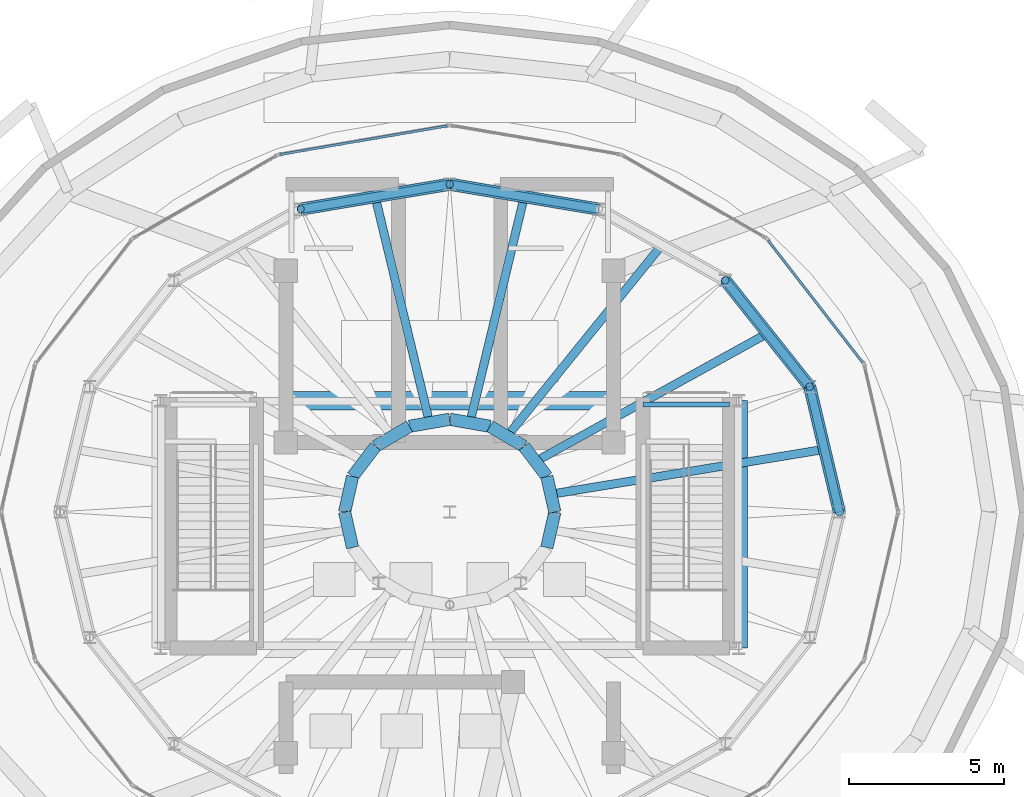
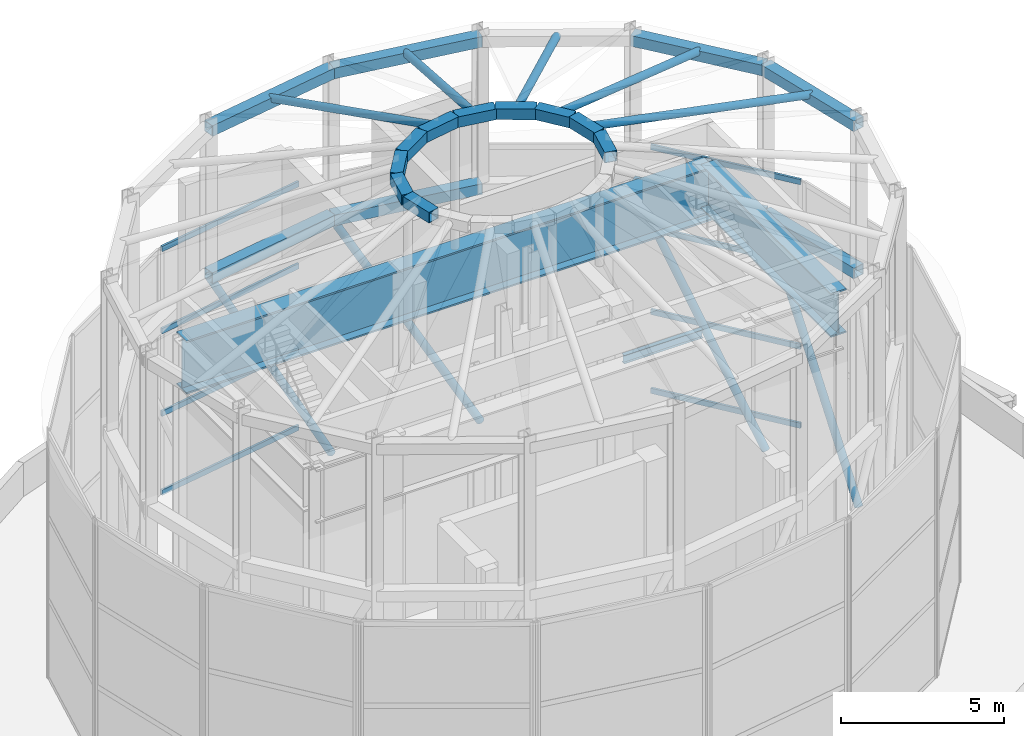
# One storey, part 13 of 22: 21 beams, 17 members, 2 elements without a shape of their own.
"""IFC4 building model written with IfcOpenShell, lengths in metres."""

from ifc_helpers import new_model, si_unit, direction, frame, origin, origin_2d, place, context, subcontext, project, spatial, hollow_rectangle, hollow_circle, i_section, extrude, material, layer, layer_set, material_profile, profile_set, type_object, element, aggregate, save


model = new_model("IFC4")

# Units and contexts
model_context = context("Model", 3, precision=1e-05, world=origin(), true_north=direction((0.0, 1.0)))
body_context = subcontext(model_context, "Body", "Model", "MODEL_VIEW")
ifc_project = project(units=[si_unit("LENGTHUNIT", "METRE"), si_unit("AREAUNIT", "SQUARE_METRE"), si_unit("VOLUMEUNIT", "CUBIC_METRE"), si_unit("PLANEANGLEUNIT", "RADIAN"), si_unit("MASSUNIT", "GRAM", prefix="KILO")], contexts=[model_context])

# Site, building, storey
site_placement = place(None, origin())
site = spatial("IfcSite", under=ifc_project, at=site_placement, CompositionType="ELEMENT")
building_placement = place(site_placement, origin())
building = spatial("IfcBuilding", under=site, at=building_placement, Name="Nuhasar Tower", CompositionType="ELEMENT")
storey_placement = place(building_placement, frame((0.0, 0.0, 313.39990234375)))
storey = spatial("IfcBuildingStorey", under=building, at=storey_placement, Name="Roof Drum", CompositionType="ELEMENT", Elevation=313.39990234375)

# Beams
ifc_material_1 = material(Name="Steel S355", Category="steel")
ifc_material_profile_1 = material_profile(ifc_material_1, hollow_rectangle(XDim=0.39990234375, YDim=0.39990234375, WallThickness=0.01611328125, at=origin_2d()), Name="HSS400X400X16")
ifc_profile_set_1 = profile_set([ifc_material_profile_1], Name="Steel S355")
beam_type_1 = type_object("IfcBeamType", Name="BM-CRN-HSS400", PredefinedType="SPANDREL", material=ifc_profile_set_1)
for number, where, z_axis, x_axis, name in (
    (1, (51.60009765625, 26.800048828125, 9.02001953125), (-0.230097071892, 0.973167682112, 0.0), (-0.973167682112, -0.230097071892, 0.0), "Crown Drum Eave Ring Beam 01"),
    (2, (51.60009765625, 26.800048828125, 14.5400390625), (-0.230097071892, 0.973167682112, 0.0), (-0.973167682112, -0.230097071892, 0.0), "Crown Drum Top Ring Beam 01"),
):
    element("IfcBeam", number, at=place(storey_placement, frame(where, z_axis=z_axis, x_axis=x_axis)), inside=storey, type_object=beam_type_1, Name=name, PredefinedType="SPANDREL", context=body_context, shape_type="SweptSolid", body=[
        extrude(hollow_rectangle(XDim=0.39990234375, YDim=0.39990234375, WallThickness=0.01611328125, at=origin_2d()), origin(), (0.0, 0.0, 1.0), 4.167724609375),
    ])
for number, where, z_axis, x_axis, name in (
    (3, (50.64111328125, 30.85595703125, 9.02001953125), (-0.621918241488, 0.783082180173, 0.0), (-0.783082180173, -0.621918241488, 0.0), "Crown Drum Eave Ring Beam 02"),
    (4, (50.64111328125, 30.85595703125, 14.5400390625), (-0.621918241488, 0.783082180173, 0.0), (-0.783082180173, -0.621918241488, 0.0), "Crown Drum Top Ring Beam 02"),
):
    element("IfcBeam", number, at=place(storey_placement, frame(where, z_axis=z_axis, x_axis=x_axis)), inside=storey, type_object=beam_type_1, Name=name, PredefinedType="SPANDREL", context=body_context, shape_type="SweptSolid", body=[
        extrude(hollow_rectangle(XDim=0.39990234375, YDim=0.39990234375, WallThickness=0.01611328125, at=origin_2d()), origin(), (0.0, 0.0, 1.0), 4.3916015625),
    ])
for number, where, z_axis, x_axis, name in (
    (5, (43.822021484375, 36.593017578125, 9.02001953125), (-0.986287096154, 0.165038674132, 0.0), (-0.165038674132, -0.986287096154, 0.0), "Crown Drum Eave Ring Beam 04"),
    (6, (43.822021484375, 36.593017578125, 14.5400390625), (-0.986287096154, 0.165038674132, 0.0), (-0.165038674132, -0.986287096154, 0.0), "Crown Drum Top Ring Beam 04"),
    (7, (39.0, 37.39990234375, 9.02001953125), (-0.986287096154, -0.165038674132, 0.0), (0.165038674132, -0.986287096154, 0.0), "Crown Drum Eave Ring Beam 05"),
    (8, (39.0, 37.39990234375, 14.5400390625), (-0.986287096154, -0.165038674132, 0.0), (0.165038674132, -0.986287096154, 0.0), "Crown Drum Top Ring Beam 05"),
):
    element("IfcBeam", number, at=place(storey_placement, frame(where, z_axis=z_axis, x_axis=x_axis)), inside=storey, type_object=beam_type_1, Name=name, PredefinedType="SPANDREL", context=body_context, shape_type="SweptSolid", body=[
        extrude(hollow_rectangle(XDim=0.39990234375, YDim=0.39990234375, WallThickness=0.01611328125, at=origin_2d()), origin(), (0.0, 0.0, 1.0), 4.88916015625),
    ])
beam_1_placement = place(storey_placement, frame((42.39990234375, 26.800048828125, 17.320068359375), z_axis=(-0.219916993516, 0.97551858822, 0.0), x_axis=(-0.97551858822, -0.219916993516, 0.0)))
element("IfcBeam", 9, at=beam_1_placement, inside=storey, type_object=beam_type_1, Name="Crown Upper Lantern Ring Beam 01", PredefinedType="SPANDREL", context=body_context, shape_type="SweptSolid", body=[
    extrude(hollow_rectangle(XDim=0.39990234375, YDim=0.39990234375, WallThickness=0.01611328125, at=origin_2d()), origin(), (0.0, 0.0, 1.0), 1.1767578125),
])
beam_2_placement = place(storey_placement, frame((42.14111328125, 27.947998046875, 17.320068359375), z_axis=(-0.603865390085, 0.797086313179, 0.0), x_axis=(-0.797086313179, -0.603865390085, 0.0)))
element("IfcBeam", 10, at=beam_2_placement, inside=storey, type_object=beam_type_1, Name="Crown Upper Lantern Ring Beam 02", PredefinedType="SPANDREL", context=body_context, shape_type="SweptSolid", body=[
    extrude(hollow_rectangle(XDim=0.39990234375, YDim=0.39990234375, WallThickness=0.01611328125, at=origin_2d()), origin(), (0.0, 0.0, 1.0), 1.220458984375),
])
beam_3_placement = place(storey_placement, frame((41.404052734375, 28.9208984375, 17.320068359375), z_axis=(-0.861154117381, 0.508343964377, 0.0), x_axis=(-0.508343964377, -0.861154117381, 0.0)))
element("IfcBeam", 11, at=beam_3_placement, inside=storey, type_object=beam_type_1, Name="Crown Upper Lantern Ring Beam 03", PredefinedType="SPANDREL", context=body_context, shape_type="SweptSolid", body=[
    extrude(hollow_rectangle(XDim=0.39990234375, YDim=0.39990234375, WallThickness=0.01611328125, at=origin_2d()), origin(), (0.0, 0.0, 1.0), 1.28076171875),
])
for number, where, z_axis, x_axis, name in (
    (12, (40.301025390625, 29.572021484375, 17.320068359375), (-0.984985710435, 0.1726358892, 0.0), (-0.1726358892, -0.984985710435, 0.0), "Crown Upper Lantern Ring Beam 04"),
    (13, (39.0, 29.800048828125, 17.320068359375), (-0.984985710435, -0.1726358892, 0.0), (0.1726358892, -0.984985710435, 0.0), "Crown Upper Lantern Ring Beam 05"),
):
    element("IfcBeam", number, at=place(storey_placement, frame(where, z_axis=z_axis, x_axis=x_axis)), inside=storey, type_object=beam_type_1, Name=name, PredefinedType="SPANDREL", context=body_context, shape_type="SweptSolid", body=[
        extrude(hollow_rectangle(XDim=0.39990234375, YDim=0.39990234375, WallThickness=0.01611328125, at=origin_2d()), origin(), (0.0, 0.0, 1.0), 1.32080078125),
    ])
beam_4_placement = place(storey_placement, frame((37.698974609375, 29.572021484375, 17.320068359375), z_axis=(-0.861154117381, -0.508343964377, 0.0), x_axis=(0.508343964377, -0.861154117381, 0.0)))
element("IfcBeam", 14, at=beam_4_placement, inside=storey, type_object=beam_type_1, Name="Crown Upper Lantern Ring Beam 06", PredefinedType="SPANDREL", context=body_context, shape_type="SweptSolid", body=[
    extrude(hollow_rectangle(XDim=0.39990234375, YDim=0.39990234375, WallThickness=0.01611328125, at=origin_2d()), origin(), (0.0, 0.0, 1.0), 1.28076171875),
])
beam_5_placement = place(storey_placement, frame((36.595947265625, 28.9208984375, 17.320068359375), z_axis=(-0.603865390085, -0.797086313179, 0.0), x_axis=(0.797086313179, -0.603865390085, 0.0)))
element("IfcBeam", 15, at=beam_5_placement, inside=storey, type_object=beam_type_1, Name="Crown Upper Lantern Ring Beam 07", PredefinedType="SPANDREL", context=body_context, shape_type="SweptSolid", body=[
    extrude(hollow_rectangle(XDim=0.39990234375, YDim=0.39990234375, WallThickness=0.01611328125, at=origin_2d()), origin(), (0.0, 0.0, 1.0), 1.220458984375),
])
for number, where, z_axis, x_axis, name in (
    (16, (35.85888671875, 27.947998046875, 17.320068359375), (-0.219916993516, -0.97551858822, 0.0), (0.97551858822, -0.219916993516, 0.0), "Crown Upper Lantern Ring Beam 08"),
    (17, (35.60009765625, 26.800048828125, 17.320068359375), (0.219916993516, -0.97551858822, 0.0), (0.97551858822, 0.219916993516, 0.0), "Crown Upper Lantern Ring Beam 09"),
    (18, (42.14111328125, 25.652099609375, 17.320068359375), (0.219916993516, 0.97551858822, 0.0), (-0.97551858822, 0.219916993516, 0.0), "Crown Upper Lantern Ring Beam 16"),
):
    element("IfcBeam", number, at=place(storey_placement, frame(where, z_axis=z_axis, x_axis=x_axis)), inside=storey, type_object=beam_type_1, Name=name, PredefinedType="SPANDREL", context=body_context, shape_type="SweptSolid", body=[
        extrude(hollow_rectangle(XDim=0.39990234375, YDim=0.39990234375, WallThickness=0.01611328125, at=origin_2d()), origin(), (0.0, 0.0, 1.0), 1.1767578125),
    ])
ifc_material_profile_2 = material_profile(ifc_material_1, i_section(OverallWidth=0.1650390625, OverallDepth=0.31005859375, WebThickness=0.005859375, FlangeThickness=0.009765625, at=origin_2d()), Name="W12X26")
ifc_profile_set_2 = profile_set([ifc_material_profile_2], Name="Steel S355")
beam_type_2 = type_object("IfcBeamType", Name="BM-LNT-W12X26", PredefinedType="LINTEL", material=ifc_profile_set_2)
beam_6_placement = place(storey_placement, frame((45.25, 30.280029296875, 5.85498046875), z_axis=(1.0, 0.0, 0.0), x_axis=(0.0, 1.0, 0.0)))
element("IfcBeam", 19, at=beam_6_placement, inside=storey, type_object=beam_type_2, Name="Roof Drum Stair ST-CRN-2 Mid-Landing Trimmer Beam 1", PredefinedType="LINTEL", context=body_context, shape_type="SweptSolid", body=[
    extrude(i_section(OverallWidth=0.1650390625, OverallDepth=0.31005859375, WebThickness=0.005859375, FlangeThickness=0.009765625, at=origin_2d()), origin(), (0.0, 0.0, 1.0), 2.800048828125),
])
ifc_material_2 = material(Name="Steel S460", Category="steel")
ifc_material_profile_3 = material_profile(ifc_material_2, i_section(OverallWidth=0.550048828125, OverallDepth=1.64990234375, WebThickness=0.031982421875, FlangeThickness=0.054931640625, at=origin_2d()), Name="PG1650X550")
ifc_profile_set_3 = profile_set([ifc_material_profile_3], Name="Steel S460")
beam_type_3 = type_object("IfcBeamType", Name="BM-XFER-PG1650", PredefinedType="USERDEFINED", material=ifc_profile_set_3)
beam_7_placement = place(storey_placement, frame((48.35009765625, 22.39990234375, 11.255126953125), z_axis=(0.0, 1.0, 0.0), x_axis=(-1.0, 0.0, 0.0)))
element("IfcBeam", 20, at=beam_7_placement, inside=storey, type_object=beam_type_3, Name="Crown Apex Plinth Transfer Girder 2", ObjectType="GIRDER", PredefinedType="USERDEFINED", context=body_context, shape_type="SweptSolid", body=[
    extrude(i_section(OverallWidth=0.550048828125, OverallDepth=1.64990234375, WebThickness=0.031982421875, FlangeThickness=0.054931640625, at=origin_2d()), origin(), (0.0, 0.0, 1.0), 8.0),
])
ifc_material_profile_4 = material_profile(ifc_material_2, i_section(OverallWidth=0.60009765625, OverallDepth=2.0, WebThickness=0.035888671875, FlangeThickness=0.06005859375, at=origin_2d()), Name="PG2000X600")
ifc_profile_set_4 = profile_set([ifc_material_profile_4], Name="Steel S460")
beam_type_4 = type_object("IfcBeamType", Name="BM-XFER-PG2000", PredefinedType="USERDEFINED", material=ifc_profile_set_4)
beam_8_placement = place(storey_placement, frame((48.35009765625, 30.39990234375, 11.080078125), z_axis=(-1.0, 0.0, 0.0), x_axis=(0.0, -1.0, 0.0)))
element("IfcBeam", 21, at=beam_8_placement, inside=storey, type_object=beam_type_4, Name="Crown Apex Plinth Transfer Girder 3", ObjectType="GIRDER", PredefinedType="USERDEFINED", context=body_context, shape_type="SweptSolid", body=[
    extrude(i_section(OverallWidth=0.60009765625, OverallDepth=2.0, WebThickness=0.035888671875, FlangeThickness=0.06005859375, at=origin_2d()), origin(), (0.0, 0.0, 1.0), 18.7001953125),
])

# Members
ifc_material_profile_5 = material_profile(ifc_material_1, hollow_circle(Radius=0.136474609375, WallThickness=0.0126953125, at=origin_2d()), Name="HSS273.1X12.7")
ifc_profile_set_5 = profile_set([ifc_material_profile_5], Name="Steel S355")
member_type_1 = type_object("IfcMemberType", Name="CRN-DIAG-273", PredefinedType="BRACE", material=ifc_profile_set_5)
member_1_placement = place(storey_placement, frame((51.60009765625, 26.800048828125, 0.2001953125), z_axis=(-0.098307310955, 0.41577885868, 0.904136943879), x_axis=(-0.973167682112, -0.230097071892, 0.0)))
element("IfcMember", 22, at=member_1_placement, inside=storey, type_object=member_type_1, Name="Crown Drum Frame Brace 01", PredefinedType="BRACE", context=body_context, shape_type="SweptSolid", body=[
    extrude(hollow_circle(Radius=0.136474609375, WallThickness=0.0126953125, at=origin_2d()), origin(), (0.0, 0.0, 1.0), 9.7548828125),
])
member_2_placement = place(storey_placement, frame((50.64111328125, 30.85595703125, 0.2001953125), z_axis=(-0.277203977474, 0.349038636516, 0.895170366518), x_axis=(-0.783082180173, -0.621918241488, 0.0)))
element("IfcMember", 23, at=member_2_placement, inside=storey, type_object=member_type_1, Name="Crown Drum Frame Brace 02", PredefinedType="BRACE", context=body_context, shape_type="SweptSolid", body=[
    extrude(hollow_circle(Radius=0.136474609375, WallThickness=0.0126953125, at=origin_2d()), origin(), (0.0, 0.0, 1.0), 9.852783203125),
])
for number, where, z_axis, x_axis, name in (
    (24, (43.822021484375, 36.593017578125, 0.2001953125), (-0.478173171017, 0.080014294477, 0.874613132304), (-0.165038674132, -0.986287096154, 0.0), "Crown Drum Frame Brace 04"),
    (25, (39.0, 37.39990234375, 0.2001953125), (-0.478173171017, -0.080014294477, 0.874613132304), (0.165038674132, -0.986287096154, 0.0), "Crown Drum Frame Brace 05"),
):
    element("IfcMember", number, at=place(storey_placement, frame(where, z_axis=z_axis, x_axis=x_axis)), inside=storey, type_object=member_type_1, Name=name, PredefinedType="BRACE", context=body_context, shape_type="SweptSolid", body=[
        extrude(hollow_circle(Radius=0.136474609375, WallThickness=0.0126953125, at=origin_2d()), origin(), (0.0, 0.0, 1.0), 10.084228515625),
    ])
ifc_material_profile_6 = material_profile(ifc_material_2, hollow_circle(Radius=0.136474609375, WallThickness=0.0126953125, at=origin_2d()), Name="HSS273.1X12.7")
ifc_profile_set_6 = profile_set([ifc_material_profile_6], Name="Steel S460")
member_type_2 = type_object("IfcMemberType", Name="CRN-RAFTER-273", PredefinedType="RAFTER", material=ifc_profile_set_6)
member_3_placement = place(storey_placement, frame((51.1201171875, 28.827880859375, 14.60009765625), z_axis=(-0.943125771704, -0.154932799186, 0.294125154458), x_axis=(0.162103120488, -0.986773823289, 0.0)))
element("IfcMember", 26, at=member_3_placement, inside=storey, type_object=member_type_2, Name="Crown Dome Radial Bearing Rafter 01", PredefinedType="RAFTER", context=body_context, shape_type="SweptSolid", body=[
    extrude(hollow_circle(Radius=0.136474609375, WallThickness=0.0126953125, at=origin_2d()), origin(), (0.0, 0.0, 1.0), 9.3837890625),
])
member_4_placement = place(storey_placement, frame((49.27490234375, 32.575927734375, 14.60009765625), z_axis=(-0.833283736894, -0.460057881945, 0.306569664332), x_axis=(0.483331134631, -0.875437613023, 0.0)))
element("IfcMember", 27, at=member_4_placement, inside=storey, type_object=member_type_2, Name="Crown Dome Radial Bearing Rafter 02", PredefinedType="RAFTER", context=body_context, shape_type="SweptSolid", body=[
    extrude(hollow_circle(Radius=0.136474609375, WallThickness=0.0126953125, at=origin_2d()), origin(), (0.0, 0.0, 1.0), 9.0029296875),
])
member_5_placement = place(storey_placement, frame((45.865966796875, 35.444091796875, 14.60009765625), z_axis=(-0.594247248022, -0.734727262725, 0.32717893824), x_axis=(0.777520100995, -0.628858086175, 0.0)))
element("IfcMember", 28, at=member_5_placement, inside=storey, type_object=member_type_2, Name="Crown Dome Radial Bearing Rafter 03", PredefinedType="RAFTER", context=body_context, shape_type="SweptSolid", body=[
    extrude(hollow_circle(Radius=0.136474609375, WallThickness=0.0126953125, at=origin_2d()), origin(), (0.0, 0.0, 1.0), 8.435791015625),
])
for number, where, z_axis, x_axis, name in (
    (29, (41.410888671875, 36.99609375, 14.60009765625), (-0.219740014217, -0.912672424148, 0.344591602264), (0.972218163821, -0.234076572807, 0.0), "Crown Dome Radial Bearing Rafter 04"),
    (30, (36.589111328125, 36.99609375, 14.60009765625), (0.219740014217, -0.912672424148, 0.344591602264), (0.972218163821, 0.234076572807, 0.0), "Crown Dome Radial Bearing Rafter 05"),
):
    element("IfcMember", number, at=place(storey_placement, frame(where, z_axis=z_axis, x_axis=x_axis)), inside=storey, type_object=member_type_2, Name=name, PredefinedType="RAFTER", context=body_context, shape_type="SweptSolid", body=[
        extrude(hollow_circle(Radius=0.136474609375, WallThickness=0.0126953125, at=origin_2d()), origin(), (0.0, 0.0, 1.0), 8.009521484375),
    ])

# Curtain wall, members
ifc_material_3 = material(Name="Aluminium 6063-T6", Category="aluminium")
ifc_layer = layer(ifc_material_3, 0.219970703125)
ifc_layer_set = layer_set([ifc_layer], Name="Aluminium 6063-T6")
curtain_wall_type = type_object("IfcCurtainWallType", Name="CW-CROWN", PredefinedType="NOTDEFINED", material=ifc_layer_set)
curtain_wall_1_placement = place(storey_placement, origin())
curtain_wall_1 = element("IfcCurtainWall", 31, at=curtain_wall_1_placement, inside=storey, type_object=curtain_wall_type, Name="Crown Lantern Curtain Wall 02", PredefinedType="NOTDEFINED")
ifc_material_profile_7 = material_profile(ifc_material_3, hollow_rectangle(XDim=0.080078125, YDim=0.199951171875, WallThickness=0.00439453125, at=origin_2d()), Name="CWT-7")
ifc_profile_set_7 = profile_set([ifc_material_profile_7], Name="Aluminium 6063-T6")
member_type_3 = type_object("IfcMemberType", Name="CW-TRN-S7", PredefinedType="USERDEFINED", material=ifc_profile_set_7)
member_6_placement = place(storey_placement, frame((52.346923828125, 31.647216796875, 0.0400390625), z_axis=(-0.61261692868, 0.790379971086, 0.0), x_axis=(-0.790379971086, -0.61261692868, 0.0)))
member_6 = element("IfcMember", 32, at=member_6_placement, type_object=member_type_3, Name="CW-CR transom 1.1", ObjectType="TRANSOM", PredefinedType="USERDEFINED", context=body_context, shape_type="SweptSolid", body=[
    extrude(hollow_rectangle(XDim=0.080078125, YDim=0.199951171875, WallThickness=0.00439453125, at=origin_2d()), origin(), (0.0, 0.0, 1.0), 4.970458984375),
])
member_7_placement = place(storey_placement, frame((52.346923828125, 31.647216796875, 3.0), z_axis=(-0.61261692868, 0.790379971086, 0.0), x_axis=(-0.790379971086, -0.61261692868, 0.0)))
member_7 = element("IfcMember", 33, at=member_7_placement, type_object=member_type_3, Name="CW-CR transom 1.2", ObjectType="TRANSOM", PredefinedType="USERDEFINED", context=body_context, shape_type="SweptSolid", body=[
    extrude(hollow_rectangle(XDim=0.080078125, YDim=0.199951171875, WallThickness=0.00439453125, at=origin_2d()), origin(), (0.0, 0.0, 1.0), 4.970458984375),
])
member_8_placement = place(storey_placement, frame((52.346923828125, 31.647216796875, 6.10009765625), z_axis=(-0.61261692868, 0.790379971086, 0.0), x_axis=(-0.790379971086, -0.61261692868, 0.0)))
member_8 = element("IfcMember", 34, at=member_8_placement, type_object=member_type_3, Name="CW-CR transom 1.3", ObjectType="TRANSOM", PredefinedType="USERDEFINED", context=body_context, shape_type="SweptSolid", body=[
    extrude(hollow_rectangle(XDim=0.080078125, YDim=0.199951171875, WallThickness=0.00439453125, at=origin_2d()), origin(), (0.0, 0.0, 1.0), 4.970458984375),
])
member_9_placement = place(storey_placement, frame((52.346923828125, 31.647216796875, 9.18017578125), z_axis=(-0.61261692868, 0.790379971086, 0.0), x_axis=(-0.790379971086, -0.61261692868, 0.0)))
member_9 = element("IfcMember", 35, at=member_9_placement, type_object=member_type_3, Name="CW-CR transom 1.4", ObjectType="TRANSOM", PredefinedType="USERDEFINED", context=body_context, shape_type="SweptSolid", body=[
    extrude(hollow_rectangle(XDim=0.080078125, YDim=0.199951171875, WallThickness=0.00439453125, at=origin_2d()), origin(), (0.0, 0.0, 1.0), 4.970458984375),
])
aggregate(curtain_wall_1, [member_6, member_7, member_8, member_9])

curtain_wall_2_placement = place(storey_placement, origin())
curtain_wall_2 = element("IfcCurtainWall", 36, at=curtain_wall_2_placement, inside=storey, type_object=curtain_wall_type, Name="Crown Lantern Curtain Wall 05", PredefinedType="NOTDEFINED")
member_10_placement = place(storey_placement, frame((38.921142578125, 39.286376953125, 0.0400390625), z_axis=(-0.98560483573, -0.169065394998, 0.0), x_axis=(0.169065394998, -0.98560483573, 0.0)))
member_10 = element("IfcMember", 37, at=member_10_placement, type_object=member_type_3, Name="CW-CR transom 1.1", ObjectType="TRANSOM", PredefinedType="USERDEFINED", context=body_context, shape_type="SweptSolid", body=[
    extrude(hollow_rectangle(XDim=0.080078125, YDim=0.199951171875, WallThickness=0.00439453125, at=origin_2d()), origin(), (0.0, 0.0, 1.0), 5.47021484375),
])
member_11_placement = place(storey_placement, frame((38.921142578125, 39.286376953125, 3.0), z_axis=(-0.98560483573, -0.169065394998, 0.0), x_axis=(0.169065394998, -0.98560483573, 0.0)))
member_11 = element("IfcMember", 38, at=member_11_placement, type_object=member_type_3, Name="CW-CR transom 1.2", ObjectType="TRANSOM", PredefinedType="USERDEFINED", context=body_context, shape_type="SweptSolid", body=[
    extrude(hollow_rectangle(XDim=0.080078125, YDim=0.199951171875, WallThickness=0.00439453125, at=origin_2d()), origin(), (0.0, 0.0, 1.0), 5.47021484375),
])
member_12_placement = place(storey_placement, frame((38.921142578125, 39.286376953125, 6.10009765625), z_axis=(-0.98560483573, -0.169065394998, 0.0), x_axis=(0.169065394998, -0.98560483573, 0.0)))
member_12 = element("IfcMember", 39, at=member_12_placement, type_object=member_type_3, Name="CW-CR transom 1.3", ObjectType="TRANSOM", PredefinedType="USERDEFINED", context=body_context, shape_type="SweptSolid", body=[
    extrude(hollow_rectangle(XDim=0.080078125, YDim=0.199951171875, WallThickness=0.00439453125, at=origin_2d()), origin(), (0.0, 0.0, 1.0), 5.47021484375),
])
member_13_placement = place(storey_placement, frame((38.921142578125, 39.286376953125, 9.18017578125), z_axis=(-0.98560483573, -0.169065394998, 0.0), x_axis=(0.169065394998, -0.98560483573, 0.0)))
member_13 = element("IfcMember", 40, at=member_13_placement, type_object=member_type_3, Name="CW-CR transom 1.4", ObjectType="TRANSOM", PredefinedType="USERDEFINED", context=body_context, shape_type="SweptSolid", body=[
    extrude(hollow_rectangle(XDim=0.080078125, YDim=0.199951171875, WallThickness=0.00439453125, at=origin_2d()), origin(), (0.0, 0.0, 1.0), 5.47021484375),
])
aggregate(curtain_wall_2, [member_10, member_11, member_12, member_13])

save(model, "model.ifc")
